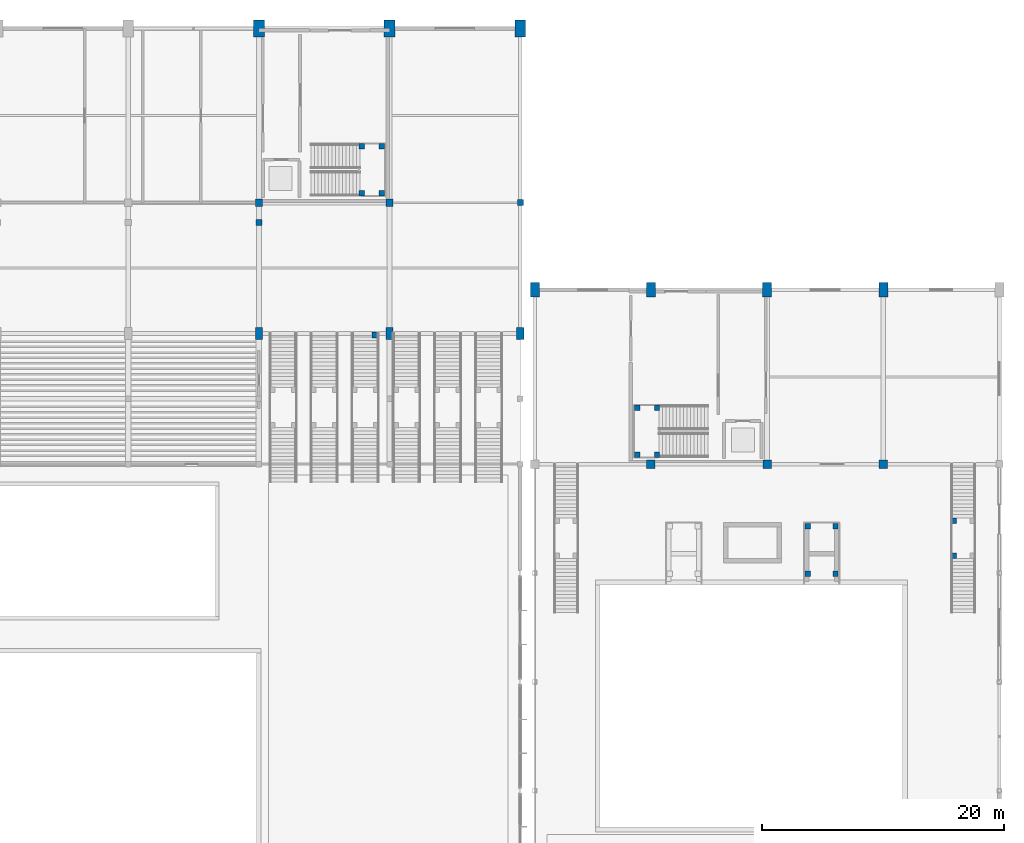
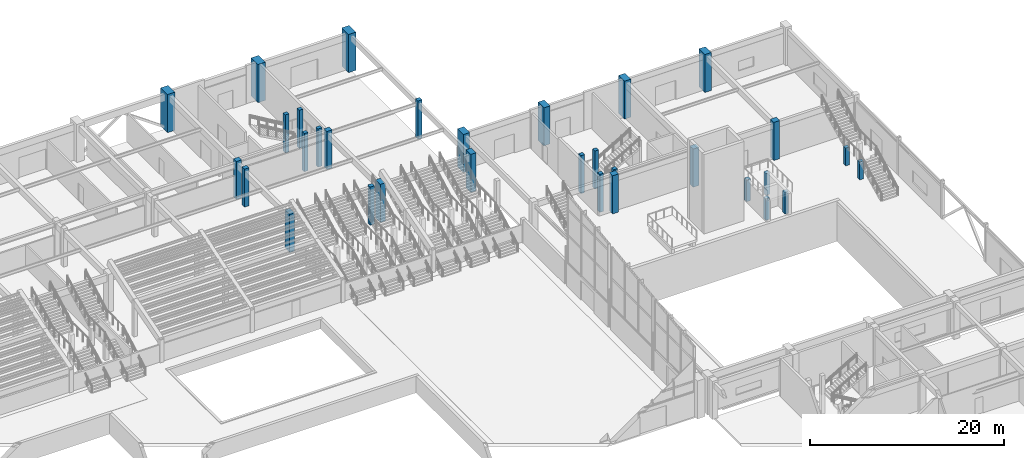
# One storey, part 14 of 82: 32 columns.
"""IFC4 building model written with IfcOpenShell, lengths in metres."""

from ifc_helpers import new_model, si_unit, direction, frame, origin, origin_2d, place, context, subcontext, project, spatial, rectangle, extrude, material, material_profile, profile_set, type_object, element, save


model = new_model("IFC4")

# Units and contexts
model_context = context("Model", 3, precision=1e-05, world=origin(), true_north=direction((0.0, 1.0)))
body_context = subcontext(model_context, "Body", "Model", "MODEL_VIEW")
ifc_project = project(units=[si_unit("LENGTHUNIT", "METRE"), si_unit("AREAUNIT", "SQUARE_METRE"), si_unit("VOLUMEUNIT", "CUBIC_METRE"), si_unit("PLANEANGLEUNIT", "RADIAN"), si_unit("MASSUNIT", "GRAM", prefix="KILO")], contexts=[model_context])

# Site, building, storey
site_placement = place(None, origin())
site = spatial("IfcSite", under=ifc_project, at=site_placement, CompositionType="ELEMENT")
building_placement = place(site_placement, origin())
building = spatial("IfcBuilding", under=site, at=building_placement, Name="Suirenkawa Promenade Aquatics Centre", CompositionType="ELEMENT")
storey_placement = place(building_placement, origin())
storey = spatial("IfcBuildingStorey", under=building, at=storey_placement, Name="L00", CompositionType="ELEMENT", Elevation=0.0)

# Columns
ifc_material = material(Name="Concrete M40", Category="concrete")
ifc_material_profile_1 = material_profile(ifc_material, rectangle(XDim=0.60009765625, YDim=1.0, at=origin_2d()), Name="RC PIER 600x1000", Category="concrete")
ifc_profile_set_1 = profile_set([ifc_material_profile_1], Name="Concrete M40")
column_type_1 = type_object("IfcColumnType", Name="CT-PIER-600x1000", PredefinedType="COLUMN", material=ifc_profile_set_1)
for number, where, z_axis, x_axis, name in (
    (1, (133.199951171875, 97.199951171875, 0.0), (0.0, 0.0, 1.0), (1.0, 0.0, 0.0), "Column CL-07 COL-0146"),
    (2, (144.0, 97.199951171875, 0.0), (0.0, 0.0, 1.0), (1.0, 0.0, 0.0), "Column CL-07 COL-0152"),
    (3, (154.800048828125, 97.199951171875, 0.0), (0.0, 0.0, 1.0), (1.0, 0.0, 0.0), "Column CL-07 COL-0158"),
):
    element("IfcColumn", number, at=place(storey_placement, frame(where, z_axis=z_axis, x_axis=x_axis)), inside=storey, type_object=column_type_1, Name=name, PredefinedType="COLUMN", context=body_context, shape_type="SweptSolid", body=[
        extrude(rectangle(XDim=0.60009765625, YDim=1.0, at=origin_2d()), origin(), (0.0, 0.0, 1.0), 4.800048828125),
    ])
ifc_material_profile_2 = material_profile(ifc_material, rectangle(XDim=0.75, YDim=1.199951171875, at=origin_2d()), Name="RC PIER 750x1200", Category="concrete")
ifc_profile_set_2 = profile_set([ifc_material_profile_2], Name="Concrete M40")
column_type_2 = type_object("IfcColumnType", Name="CT-PIER-750x1200", PredefinedType="COLUMN", material=ifc_profile_set_2)
for number, where, z_axis, x_axis, name in (
    (4, (156.0, 100.800048828125, 0.0), (0.0, 0.0, 1.0), (1.0, 0.0, 0.0), "Column CL-08 COL-0012"),
    (5, (165.60009765625, 100.800048828125, 0.0), (0.0, 0.0, 1.0), (1.0, 0.0, 0.0), "Column CL-08 COL-0017"),
    (6, (175.199951171875, 100.800048828125, 0.0), (0.0, 0.0, 1.0), (1.0, 0.0, 0.0), "Column CL-08 COL-0022"),
    (7, (184.800048828125, 100.800048828125, 0.0), (0.0, 0.0, 1.0), (1.0, 0.0, 0.0), "Column CL-08 COL-0027"),
):
    element("IfcColumn", number, at=place(storey_placement, frame(where, z_axis=z_axis, x_axis=x_axis)), inside=storey, type_object=column_type_2, Name=name, PredefinedType="COLUMN", context=body_context, shape_type="SweptSolid", body=[
        extrude(rectangle(XDim=0.75, YDim=1.199951171875, at=origin_2d()), origin(), (0.0, 0.0, 1.0), 4.800048828125),
    ])
ifc_material_profile_3 = material_profile(ifc_material, rectangle(XDim=0.89990234375, YDim=1.39990234375, at=origin_2d()), Name="RC PIER 900x1400", Category="concrete")
ifc_profile_set_3 = profile_set([ifc_material_profile_3], Name="Concrete M40")
column_type_3 = type_object("IfcColumnType", Name="CT-PIER-900x1400", PredefinedType="COLUMN", material=ifc_profile_set_3)
for number, where, z_axis, x_axis, name in (
    (8, (133.199951171875, 122.39990234375, 0.0), (0.0, 0.0, 1.0), (1.0, 0.0, 0.0), "Column CL-09 COL-0069"),
    (9, (144.0, 122.39990234375, 0.0), (0.0, 0.0, 1.0), (1.0, 0.0, 0.0), "Column CL-09 COL-0073"),
    (10, (154.800048828125, 122.39990234375, 0.0), (0.0, 0.0, 1.0), (1.0, 0.0, 0.0), "Column CL-09 COL-0077"),
):
    element("IfcColumn", number, at=place(storey_placement, frame(where, z_axis=z_axis, x_axis=x_axis)), inside=storey, type_object=column_type_3, Name=name, PredefinedType="COLUMN", context=body_context, shape_type="SweptSolid", body=[
        extrude(rectangle(XDim=0.89990234375, YDim=1.39990234375, at=origin_2d()), origin(), (0.0, 0.0, 1.0), 4.800048828125),
    ])
ifc_material_profile_4 = material_profile(ifc_material, rectangle(XDim=0.449951171875, YDim=0.449951171875, at=origin_2d()), Name="RC COL 450x450", Category="concrete")
ifc_profile_set_4 = profile_set([ifc_material_profile_4], Name="Concrete M40")
column_type_4 = type_object("IfcColumnType", Name="CT-RC-450", PredefinedType="COLUMN", material=ifc_profile_set_4)
for number, where, z_axis, x_axis, name in (
    (11, (190.610107421875, 78.824951171875, 0.0), (0.0, 0.0, 1.0), (1.0, 0.0, 0.0), "Column CL-01 COL-1096"),
    (12, (190.610107421875, 81.72509765625, 0.0), (0.0, 0.0, 1.0), (1.0, 0.0, 0.0), "Column CL-01 COL-1098"),
):
    element("IfcColumn", number, at=place(storey_placement, frame(where, z_axis=z_axis, x_axis=x_axis)), inside=storey, type_object=column_type_4, Name=name, PredefinedType="COLUMN", context=body_context, shape_type="SweptSolid", body=[
        extrude(rectangle(XDim=0.449951171875, YDim=0.449951171875, at=origin_2d()), origin(), (0.0, 0.0, 1.0), 2.239990234375),
    ])
for number, where, z_axis, x_axis, name in (
    (13, (178.550048828125, 77.35009765625, 0.0), (0.0, 0.0, 1.0), (1.0, 0.0, 0.0), "Column CL-01 COL-1124"),
    (14, (178.550048828125, 81.25, 0.0), (0.0, 0.0, 1.0), (1.0, 0.0, 0.0), "Column CL-01 COL-1126"),
    (15, (180.85009765625, 77.35009765625, 0.0), (0.0, 0.0, 1.0), (1.0, 0.0, 0.0), "Column CL-01 COL-1128"),
    (16, (180.85009765625, 81.25, 0.0), (0.0, 0.0, 1.0), (1.0, 0.0, 0.0), "Column CL-01 COL-1130"),
):
    element("IfcColumn", number, at=place(storey_placement, frame(where, z_axis=z_axis, x_axis=x_axis)), inside=storey, type_object=column_type_4, Name=name, PredefinedType="COLUMN", context=body_context, shape_type="SweptSolid", body=[
        extrude(rectangle(XDim=0.449951171875, YDim=0.449951171875, at=origin_2d()), origin(), (0.0, 0.0, 1.0), 2.739990234375),
    ])
for number, where, z_axis, x_axis, name in (
    (17, (143.35009765625, 108.77001953125, 0.0), (0.0, 0.0, 1.0), (1.0, 0.0, 0.0), "Core stair landing column CL-01 COL-CR-C4-L00-1"),
    (18, (141.699951171875, 108.77001953125, 0.0), (0.0, 0.0, 1.0), (1.0, 0.0, 0.0), "Core stair landing column CL-01 COL-CR-C4-L00-2"),
    (19, (143.35009765625, 112.659912109375, 0.0), (0.0, 0.0, 1.0), (1.0, 0.0, 0.0), "Core stair landing column CL-01 COL-CR-C4-L00-3"),
    (20, (141.699951171875, 112.659912109375, 0.0), (0.0, 0.0, 1.0), (1.0, 0.0, 0.0), "Core stair landing column CL-01 COL-CR-C4-L00-4"),
    (21, (164.449951171875, 87.169921875, 0.0), (0.0, 0.0, 1.0), (1.0, 0.0, 0.0), "Core stair landing column CL-01 COL-CR-C5-L00-1"),
    (22, (166.10009765625, 87.169921875, 0.0), (0.0, 0.0, 1.0), (1.0, 0.0, 0.0), "Core stair landing column CL-01 COL-CR-C5-L00-2"),
    (23, (164.449951171875, 91.06005859375, 0.0), (0.0, 0.0, 1.0), (1.0, 0.0, 0.0), "Core stair landing column CL-01 COL-CR-C5-L00-3"),
    (24, (166.10009765625, 91.06005859375, 0.0), (0.0, 0.0, 1.0), (1.0, 0.0, 0.0), "Core stair landing column CL-01 COL-CR-C5-L00-4"),
):
    element("IfcColumn", number, at=place(storey_placement, frame(where, z_axis=z_axis, x_axis=x_axis)), inside=storey, type_object=column_type_4, Name=name, PredefinedType="COLUMN", context=body_context, shape_type="SweptSolid", body=[
        extrude(rectangle(XDim=0.449951171875, YDim=0.449951171875, at=origin_2d()), origin(), (0.0, 0.0, 1.0), 4.800048828125),
    ])
ifc_material_profile_5 = material_profile(ifc_material, rectangle(XDim=0.5, YDim=0.5, at=origin_2d()), Name="RC COL 500x500", Category="concrete")
ifc_profile_set_5 = profile_set([ifc_material_profile_5], Name="Concrete M40")
column_type_5 = type_object("IfcColumnType", Name="CT-RC-500", PredefinedType="COLUMN", material=ifc_profile_set_5)
for number, where, z_axis, x_axis, name in (
    (25, (133.199951171875, 106.35009765625, 0.0), (0.0, 0.0, 1.0), (1.0, 0.0, 0.0), "Column CL-02 COL-0777"),
    (26, (142.800048828125, 97.050048828125, 0.0), (0.0, 0.0, 1.0), (1.0, 0.0, 0.0), "Column CL-02 COL-0780"),
    (27, (154.800048828125, 108.0, 0.0), (0.0, 0.0, 1.0), (1.0, 0.0, 0.0), "Column CL-02 COL-0783"),
):
    element("IfcColumn", number, at=place(storey_placement, frame(where, z_axis=z_axis, x_axis=x_axis)), inside=storey, type_object=column_type_5, Name=name, PredefinedType="COLUMN", context=body_context, shape_type="SweptSolid", body=[
        extrude(rectangle(XDim=0.5, YDim=0.5, at=origin_2d()), origin(), (0.0, 0.0, 1.0), 4.800048828125),
    ])
ifc_material_profile_6 = material_profile(ifc_material, rectangle(XDim=0.60009765625, YDim=0.60009765625, at=origin_2d()), Name="RC COL 600x600", Category="concrete")
ifc_profile_set_6 = profile_set([ifc_material_profile_6], Name="Concrete M40")
column_type_6 = type_object("IfcColumnType", Name="CT-RC-600", PredefinedType="COLUMN", material=ifc_profile_set_6)
for number, where, z_axis, x_axis, name in (
    (28, (133.199951171875, 108.0, 0.0), (0.0, 0.0, 1.0), (1.0, 0.0, 0.0), "Column CL-03 COL-0605"),
    (29, (144.0, 108.0, 0.0), (0.0, 0.0, 1.0), (1.0, 0.0, 0.0), "Column CL-03 COL-0609"),
):
    element("IfcColumn", number, at=place(storey_placement, frame(where, z_axis=z_axis, x_axis=x_axis)), inside=storey, type_object=column_type_6, Name=name, PredefinedType="COLUMN", context=body_context, shape_type="SweptSolid", body=[
        extrude(rectangle(XDim=0.60009765625, YDim=0.60009765625, at=origin_2d()), origin(), (0.0, 0.0, 1.0), 4.800048828125),
    ])
ifc_material_profile_7 = material_profile(ifc_material, rectangle(XDim=0.699951171875, YDim=0.699951171875, at=origin_2d()), Name="RC COL 700x700", Category="concrete")
ifc_profile_set_7 = profile_set([ifc_material_profile_7], Name="Concrete M40")
column_type_7 = type_object("IfcColumnType", Name="CT-RC-700", PredefinedType="COLUMN", material=ifc_profile_set_7)
for number, where, z_axis, x_axis, name in (
    (30, (165.60009765625, 86.39990234375, 0.0), (0.0, 0.0, 1.0), (1.0, 0.0, 0.0), "Column CL-04 COL-0418"),
    (31, (175.199951171875, 86.39990234375, 0.0), (0.0, 0.0, 1.0), (1.0, 0.0, 0.0), "Column CL-04 COL-0423"),
    (32, (184.800048828125, 86.39990234375, 0.0), (0.0, 0.0, 1.0), (1.0, 0.0, 0.0), "Column CL-04 COL-0428"),
):
    element("IfcColumn", number, at=place(storey_placement, frame(where, z_axis=z_axis, x_axis=x_axis)), inside=storey, type_object=column_type_7, Name=name, PredefinedType="COLUMN", context=body_context, shape_type="SweptSolid", body=[
        extrude(rectangle(XDim=0.699951171875, YDim=0.699951171875, at=origin_2d()), origin(), (0.0, 0.0, 1.0), 4.800048828125),
    ])

save(model, "model.ifc")
